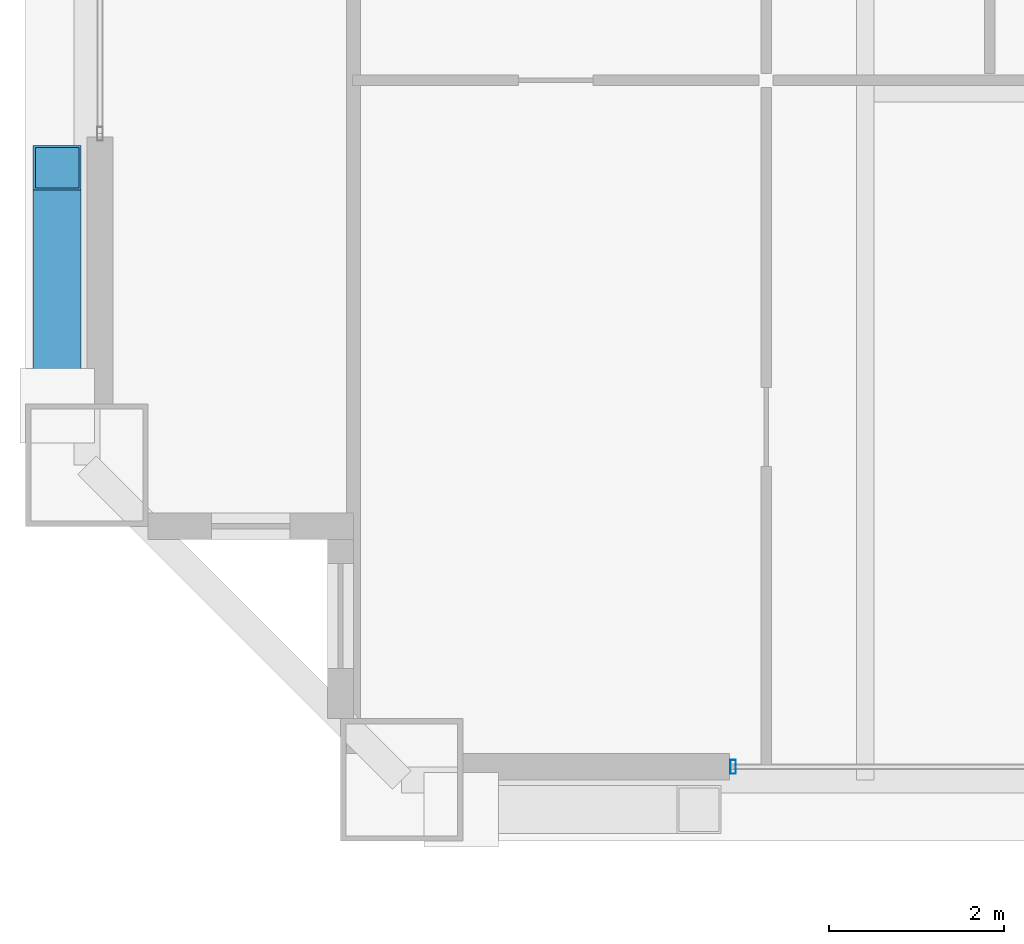
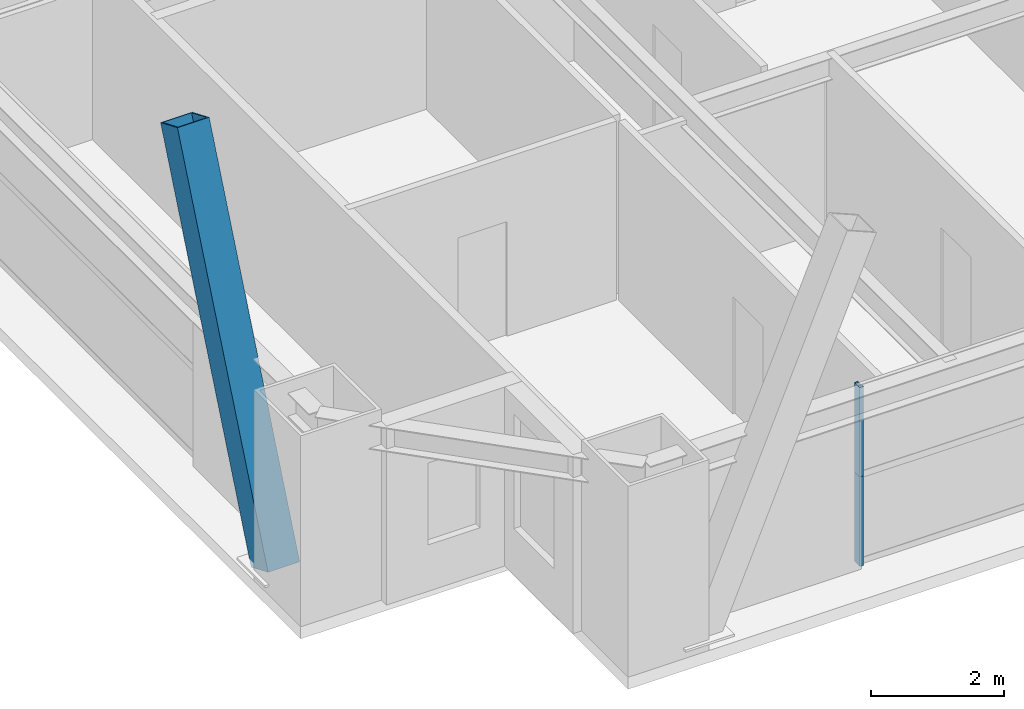
# One storey, part 4 of 45: 3 members, 1 element without a shape of its own.
"""IFC4 building model written with IfcOpenShell, lengths in metres."""

from ifc_helpers import new_model, si_unit, direction, frame, origin, origin_2d, place, context, subcontext, project, spatial, hollow_rectangle, extrude, source, transform, mapped, material, layer, layer_set, material_profile, profile_set, type_object, element, aggregate, save


model = new_model("IFC4")

# Units and contexts
model_context = context("Model", 3, precision=1e-05, world=origin(), true_north=direction((0.0, 1.0)))
body_context = subcontext(model_context, "Body", "Model", "MODEL_VIEW")
ifc_project = project(units=[si_unit("LENGTHUNIT", "METRE"), si_unit("AREAUNIT", "SQUARE_METRE"), si_unit("VOLUMEUNIT", "CUBIC_METRE"), si_unit("PLANEANGLEUNIT", "RADIAN"), si_unit("MASSUNIT", "GRAM", prefix="KILO"), si_unit("THERMODYNAMICTEMPERATUREUNIT", "KELVIN"), si_unit("POWERUNIT", "WATT")], contexts=[model_context])

# Site, building, storey
site_placement = place(None, origin())
site = spatial("IfcSite", under=ifc_project, at=site_placement, CompositionType="ELEMENT")
building_placement = place(site_placement, origin())
building = spatial("IfcBuilding", under=site, at=building_placement, Name="Yuzanri Waterfront Tower", CompositionType="ELEMENT")
storey_placement = place(building_placement, frame((0.0, 0.0, 212.5)))
storey = spatial("IfcBuildingStorey", under=building, at=storey_placement, Name="L56", CompositionType="ELEMENT", Elevation=212.5)

# Member
ifc_material_1 = material(Name="Steel Q390GJC", Category="steel")
ifc_material_profile_1 = material_profile(ifc_material_1, hollow_rectangle(XDim=0.550048828125, YDim=0.550048828125, WallThickness=0.02490234375, at=origin_2d()), Name="RHS 550x550x25")
ifc_profile_set_1 = profile_set([ifc_material_profile_1], Name="Steel Q390GJC")
member_type_1 = type_object("IfcMemberType", Name="Mega Brace Mid Q390GJC RHS 550x550x25", PredefinedType="BRACE", material=ifc_profile_set_1)
shared_shape_1 = source(origin(), body_context, "Body", "SweptSolid", [
    extrude(hollow_rectangle(XDim=0.550048828125, YDim=0.550048828125, WallThickness=0.02490234375, at=origin_2d()), origin(), (0.0, 0.0, 1.0), 7.046142578125),
])
member_1_placement = place(storey_placement, frame((14.56005859375, 7.97998046875, 0.179931640625), z_axis=(0.0, 0.386022211732, 0.922489486146), x_axis=(-1.0, 0.0, 0.0)))
element("IfcMember", 1, at=member_1_placement, inside=storey, type_object=member_type_1, Name="L56-L57 Perimeter Mega-Brace W-L", PredefinedType="BRACE", context=body_context, shape_type="MappedRepresentation", body=[
    mapped(shared_shape_1, transform((0.0, 0.0, 0.0), scale=1.0)),
])

# Curtain wall, members
ifc_material_2 = material(Name="Anodized Architectural Bronze", Category="metal")
ifc_layer = layer(ifc_material_2, 0.159912109375)
ifc_layer_set = layer_set([ifc_layer], Name="Anodized Architectural Bronze")
curtain_wall_type = type_object("IfcCurtainWallType", Name="Anodized Bronze Mid-Rise Residential Acoustic Unitized Curtain Wall 7200", PredefinedType="NOTDEFINED", material=ifc_layer_set)
curtain_wall_placement = place(storey_placement, origin())
curtain_wall = element("IfcCurtainWall", 2, at=curtain_wall_placement, inside=storey, type_object=curtain_wall_type, Name="L56 Curtain Wall CW-L56-SL", PredefinedType="NOTDEFINED")
ifc_material_3 = material(Name="Anodized Architectural Bronze", Category="metal")
ifc_material_profile_2 = material_profile(ifc_material_3, hollow_rectangle(XDim=0.06494140625, YDim=0.159912109375, WallThickness=0.00341796875, at=origin_2d()), Name="CWM 65x160")
ifc_profile_set_2 = profile_set([ifc_material_profile_2], Name="Anodized Architectural Bronze")
member_type_2 = type_object("IfcMemberType", Name="Anodized Bronze Upper-Zone Curtain-Wall Mullion 65x160", PredefinedType="MULLION", material=ifc_profile_set_2)
shared_shape_2 = source(origin(), body_context, "Body", "SweptSolid", [
    extrude(hollow_rectangle(XDim=0.06494140625, YDim=0.159912109375, WallThickness=0.00341796875, at=origin_2d()), origin(), (0.0, 0.0, 1.0), 1.637939453125),
])
member_2_placement = place(storey_placement, frame((22.2900390625, 3.85009765625, 0.0), z_axis=(0.0, 0.0, 1.0), x_axis=(1.0, 0.0, 0.0)))
member_2 = element("IfcMember", 3, at=member_2_placement, type_object=member_type_2, Name="CW-L56-SL Lower Mullion 00", PredefinedType="MULLION", context=body_context, shape_type="MappedRepresentation", body=[
    mapped(shared_shape_2, transform((0.0, 0.0, 0.0), scale=1.0)),
])
member_3_placement = place(storey_placement, frame((22.2900390625, 3.85009765625, 1.64208984375), z_axis=(0.0, 0.0, 1.0), x_axis=(1.0, 0.0, 0.0)))
member_3 = element("IfcMember", 4, at=member_3_placement, type_object=member_type_2, Name="CW-L56-SL Upper Mullion 00", PredefinedType="MULLION", context=body_context, shape_type="MappedRepresentation", body=[
    mapped(shared_shape_2, transform((0.0, 0.0, 0.0), scale=1.0)),
])
aggregate(curtain_wall, [member_2, member_3])

save(model, "model.ifc")
